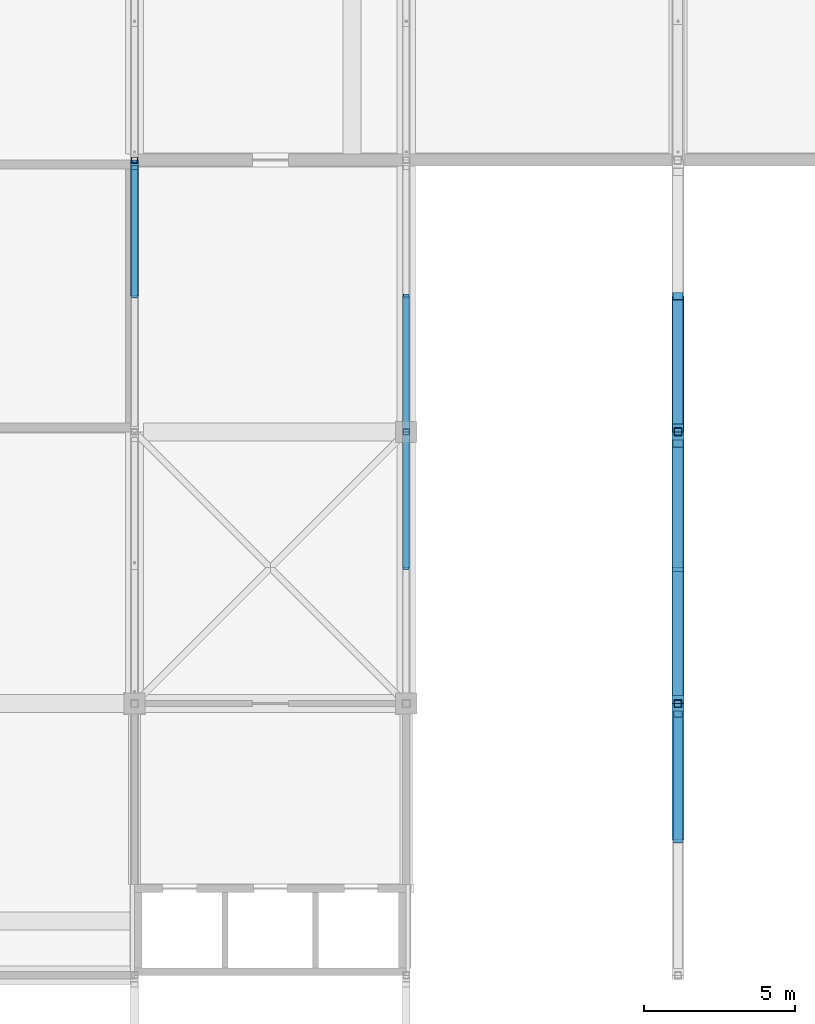
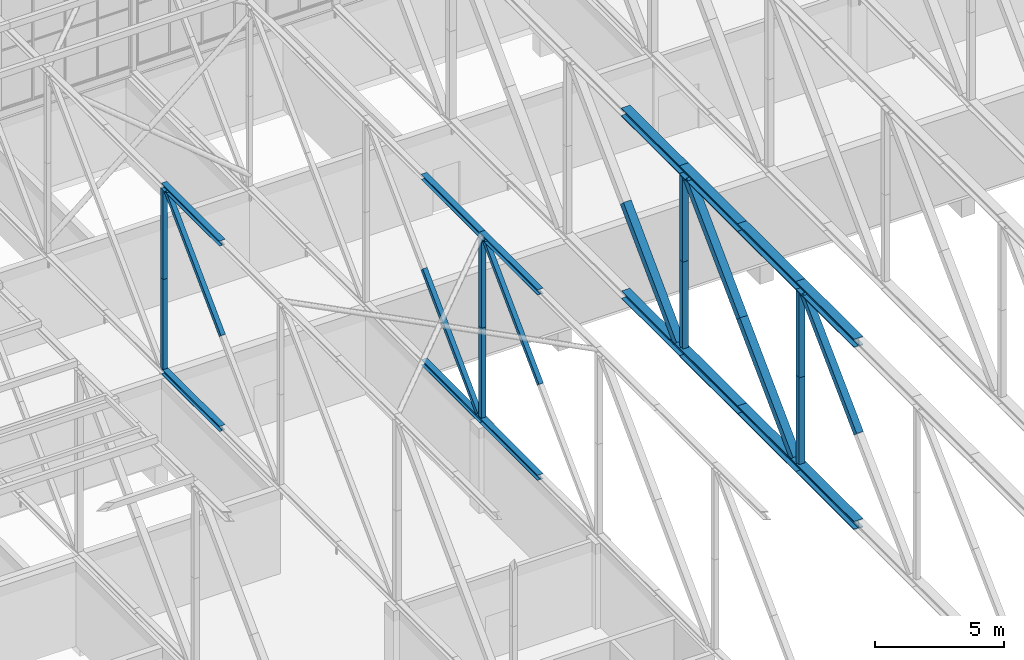
# One storey, part 66 of 646: 29 members.
"""IFC4 building model written with IfcOpenShell, lengths in metres."""

from ifc_helpers import new_model, si_unit, direction, frame, origin, origin_2d, place, context, subcontext, project, spatial, hollow_rectangle, i_section, extrude, material, material_profile, profile_set, type_object, element, save


model = new_model("IFC4")

# Units and contexts
model_context = context("Model", 3, precision=1e-05, world=origin(), true_north=direction((0.0, 1.0)))
body_context = subcontext(model_context, "Body", "Model", "MODEL_VIEW")
ifc_project = project(units=[si_unit("LENGTHUNIT", "METRE"), si_unit("AREAUNIT", "SQUARE_METRE"), si_unit("VOLUMEUNIT", "CUBIC_METRE"), si_unit("PLANEANGLEUNIT", "RADIAN"), si_unit("MASSUNIT", "GRAM", prefix="KILO")], contexts=[model_context])

# Site, building, storey
site_placement = place(None, origin())
site = spatial("IfcSite", under=ifc_project, at=site_placement, CompositionType="ELEMENT")
building_placement = place(site_placement, origin())
building = spatial("IfcBuilding", under=site, at=building_placement, Name="Silverbay Arena", CompositionType="ELEMENT")
storey_placement = place(building_placement, frame((0.0, 0.0, 33.5)))
storey = spatial("IfcBuildingStorey", under=building, at=storey_placement, Name="L05", CompositionType="ELEMENT", Elevation=33.5)

# Members
ifc_material_1 = material(Name="Steel S355", Category="steel")
ifc_material_profile_1 = material_profile(ifc_material_1, i_section(OverallWidth=0.37255859375, OverallDepth=0.3681640625, WebThickness=0.014404296875, FlangeThickness=0.023681640625, at=origin_2d()), Name="UC 356x368x177")
ifc_profile_set_1 = profile_set([ifc_material_profile_1], Name="Steel S355")
member_type_1 = type_object("IfcMemberType", Name="Main-span bottom chord UC 356x368x177", PredefinedType="CHORD", material=ifc_profile_set_1)
member_1_placement = place(storey_placement, frame((108.0, 117.0, 4.18408203125), z_axis=(0.0, 1.0, 0.0), x_axis=(-1.0, 0.0, 0.0)))
element("IfcMember", 1, at=member_1_placement, inside=storey, type_object=member_type_1, Name="ROOF TRUSS 13 bottom chord 13a", PredefinedType="CHORD", context=body_context, shape_type="SweptSolid", body=[
    extrude(i_section(OverallWidth=0.37255859375, OverallDepth=0.3681640625, WebThickness=0.014404296875, FlangeThickness=0.023681640625, at=origin_2d()), origin(), (0.0, 0.0, 1.0), 4.5),
])
ifc_material_2 = material(Name="Steel S355", Category="steel")
ifc_material_profile_2 = material_profile(ifc_material_2, i_section(OverallWidth=0.403076171875, OverallDepth=0.406494140625, WebThickness=0.026611328125, FlangeThickness=0.04296875, at=origin_2d()), Name="UC 356x406x340")
ifc_profile_set_2 = profile_set([ifc_material_profile_2], Name="Steel S355")
member_type_2 = type_object("IfcMemberType", Name="Main-span bottom chord UC 356x406x340", PredefinedType="CHORD", material=ifc_profile_set_2)
for number, where, z_axis, x_axis, name in (
    (2, (108.0, 103.5, 4.203125), (0.0, 1.0, 0.0), (-1.0, 0.0, 0.0), "ROOF TRUSS 13 bottom chord 11b"),
    (3, (108.0, 108.0, 4.203125), (0.0, 1.0, 0.0), (-1.0, 0.0, 0.0), "ROOF TRUSS 13 bottom chord 12a"),
    (4, (108.0, 112.5, 4.203125), (0.0, 1.0, 0.0), (-1.0, 0.0, 0.0), "ROOF TRUSS 13 bottom chord 12b"),
):
    element("IfcMember", number, at=place(storey_placement, frame(where, z_axis=z_axis, x_axis=x_axis)), inside=storey, type_object=member_type_2, Name=name, PredefinedType="CHORD", context=body_context, shape_type="SweptSolid", body=[
        extrude(i_section(OverallWidth=0.403076171875, OverallDepth=0.406494140625, WebThickness=0.026611328125, FlangeThickness=0.04296875, at=origin_2d()), origin(), (0.0, 0.0, 1.0), 4.5),
    ])
ifc_material_3 = material(Name="Steel S355", Category="steel")
ifc_material_profile_3 = material_profile(ifc_material_3, i_section(OverallWidth=0.39892578125, OverallDepth=0.3935546875, WebThickness=0.022705078125, FlangeThickness=0.03662109375, at=origin_2d()), Name="UC 356x406x287")
ifc_profile_set_3 = profile_set([ifc_material_profile_3], Name="Steel S355")
member_type_3 = type_object("IfcMemberType", Name="Main-span top chord UC 356x406x287", PredefinedType="CHORD", material=ifc_profile_set_3)
member_2_placement = place(storey_placement, frame((108.0, 117.0, 12.80322265625), z_axis=(0.0, 1.0, 0.0), x_axis=(-1.0, 0.0, 0.0)))
element("IfcMember", 5, at=member_2_placement, inside=storey, type_object=member_type_3, Name="ROOF TRUSS 13 top chord 13a", PredefinedType="CHORD", context=body_context, shape_type="SweptSolid", body=[
    extrude(i_section(OverallWidth=0.39892578125, OverallDepth=0.3935546875, WebThickness=0.022705078125, FlangeThickness=0.03662109375, at=origin_2d()), origin(), (0.0, 0.0, 1.0), 4.5),
])
ifc_material_4 = material(Name="Steel S355", Category="steel")
ifc_material_profile_4 = material_profile(ifc_material_4, i_section(OverallWidth=0.403076171875, OverallDepth=0.406494140625, WebThickness=0.026611328125, FlangeThickness=0.04296875, at=origin_2d()), Name="UC 356x406x340")
ifc_profile_set_4 = profile_set([ifc_material_profile_4], Name="Steel S355")
member_type_4 = type_object("IfcMemberType", Name="Main-span top chord UC 356x406x340", PredefinedType="CHORD", material=ifc_profile_set_4)
for number, where, z_axis, x_axis, name in (
    (6, (108.0, 103.5, 12.796875), (0.0, 1.0, 0.0), (-1.0, 0.0, 0.0), "ROOF TRUSS 13 top chord 11b"),
    (7, (108.0, 108.0, 12.796875), (0.0, 1.0, 0.0), (-1.0, 0.0, 0.0), "ROOF TRUSS 13 top chord 12a"),
    (8, (108.0, 112.5, 12.796875), (0.0, 1.0, 0.0), (-1.0, 0.0, 0.0), "ROOF TRUSS 13 top chord 12b"),
):
    element("IfcMember", number, at=place(storey_placement, frame(where, z_axis=z_axis, x_axis=x_axis)), inside=storey, type_object=member_type_4, Name=name, PredefinedType="CHORD", context=body_context, shape_type="SweptSolid", body=[
        extrude(i_section(OverallWidth=0.403076171875, OverallDepth=0.406494140625, WebThickness=0.026611328125, FlangeThickness=0.04296875, at=origin_2d()), origin(), (0.0, 0.0, 1.0), 4.5),
    ])
ifc_material_5 = material(Name="Steel S355", Category="steel")
ifc_material_profile_5 = material_profile(ifc_material_5, hollow_rectangle(XDim=0.300048828125, YDim=0.300048828125, WallThickness=0.012451171875, at=origin_2d()), Name="SHS 300x300x12.5")
ifc_profile_set_5 = profile_set([ifc_material_profile_5], Name="Steel S355")
member_type_5 = type_object("IfcMemberType", Name="Main-span truss diagonal SHS 300x300x12.5", PredefinedType="BRACE", material=ifc_profile_set_5)
member_3_placement = place(storey_placement, frame((108.0, 107.652099609375, 12.593505859375), z_axis=(0.0, -0.712752446816, -0.701415675301), x_axis=(1.0, 0.0, 0.0)))
element("IfcMember", 9, at=member_3_placement, inside=storey, type_object=member_type_5, Name="ROOF TRUSS 13 diagonal 11a", PredefinedType="BRACE", context=body_context, shape_type="SweptSolid", body=[
    extrude(hollow_rectangle(XDim=0.300048828125, YDim=0.300048828125, WallThickness=0.012451171875, at=origin_2d()), origin(), (0.0, 0.0, 1.0), 5.836181640625),
])
ifc_material_6 = material(Name="Steel S355", Category="steel")
ifc_material_profile_6 = material_profile(ifc_material_6, hollow_rectangle(XDim=0.35009765625, YDim=0.35009765625, WallThickness=0.012451171875, at=origin_2d()), Name="SHS 350x350x12.5")
ifc_profile_set_6 = profile_set([ifc_material_profile_6], Name="Steel S355")
member_type_6 = type_object("IfcMemberType", Name="Main-span truss diagonal SHS 350x350x12.5", PredefinedType="BRACE", material=ifc_profile_set_6)
for number, where, z_axis, x_axis, name in (
    (10, (108.0, 116.60986328125, 12.593505859375), (0.0, -0.708724844097, -0.705485007182), (1.0, 0.0, 0.0), "ROOF TRUSS 13 diagonal 12a"),
    (11, (108.0, 112.49755859375, 8.5), (0.0, -0.708745784671, -0.705463969818), (1.0, 0.0, 0.0), "ROOF TRUSS 13 diagonal 12b"),
):
    element("IfcMember", number, at=place(storey_placement, frame(where, z_axis=z_axis, x_axis=x_axis)), inside=storey, type_object=member_type_6, Name=name, PredefinedType="BRACE", context=body_context, shape_type="SweptSolid", body=[
        extrude(hollow_rectangle(XDim=0.35009765625, YDim=0.35009765625, WallThickness=0.012451171875, at=origin_2d()), origin(), (0.0, 0.0, 1.0), 5.802490234375),
    ])
ifc_material_7 = material(Name="Steel S355", Category="steel")
ifc_material_profile_7 = material_profile(ifc_material_7, hollow_rectangle(XDim=0.35009765625, YDim=0.35009765625, WallThickness=0.01416015625, at=origin_2d()), Name="SHS 350x350x14.2")
ifc_profile_set_7 = profile_set([ifc_material_profile_7], Name="Steel S355")
member_type_7 = type_object("IfcMemberType", Name="Main-span truss diagonal SHS 350x350x14.2", PredefinedType="BRACE", material=ifc_profile_set_7)
member_4_placement = place(storey_placement, frame((108.0, 121.5, 8.4873046875), z_axis=(0.0, -0.706393232016, -0.707819611033), x_axis=(1.0, 0.0, 0.0)))
element("IfcMember", 12, at=member_4_placement, inside=storey, type_object=member_type_7, Name="ROOF TRUSS 13 diagonal 13b", PredefinedType="BRACE", context=body_context, shape_type="SweptSolid", body=[
    extrude(hollow_rectangle(XDim=0.35009765625, YDim=0.35009765625, WallThickness=0.01416015625, at=origin_2d()), origin(), (0.0, 0.0, 1.0), 5.819580078125),
])
ifc_material_8 = material(Name="Steel S355", Category="steel")
ifc_material_profile_8 = material_profile(ifc_material_8, hollow_rectangle(XDim=0.25, YDim=0.25, WallThickness=0.010009765625, at=origin_2d()), Name="SHS 250x250x10")
ifc_profile_set_8 = profile_set([ifc_material_profile_8], Name="Steel S355")
member_type_8 = type_object("IfcMemberType", Name="Main-span truss vertical SHS 250x250x10", PredefinedType="STRUT", material=ifc_profile_set_8)
for number, where, z_axis, x_axis, name in (
    (13, (108.0, 108.0, 4.406494140625), (0.0, 0.0, 1.0), (1.0, 0.0, 0.0), "ROOF TRUSS 13 vertical 12a"),
    (14, (108.0, 108.0, 8.5), (0.0, 0.0, 1.0), (1.0, 0.0, 0.0), "ROOF TRUSS 13 vertical 12b"),
):
    element("IfcMember", number, at=place(storey_placement, frame(where, z_axis=z_axis, x_axis=x_axis)), inside=storey, type_object=member_type_8, Name=name, PredefinedType="STRUT", context=body_context, shape_type="SweptSolid", body=[
        extrude(hollow_rectangle(XDim=0.25, YDim=0.25, WallThickness=0.010009765625, at=origin_2d()), origin(), (0.0, 0.0, 1.0), 4.093505859375),
    ])
ifc_material_9 = material(Name="Steel S355", Category="steel")
ifc_material_profile_9 = material_profile(ifc_material_9, hollow_rectangle(XDim=0.260009765625, YDim=0.260009765625, WallThickness=0.010009765625, at=origin_2d()), Name="SHS 260x260x10")
ifc_profile_set_9 = profile_set([ifc_material_profile_9], Name="Steel S355")
member_type_9 = type_object("IfcMemberType", Name="Main-span truss vertical SHS 260x260x10", PredefinedType="STRUT", material=ifc_profile_set_9)
for number, where, z_axis, x_axis, name in (
    (15, (108.0, 117.0, 4.406494140625), (0.0, 0.0, 1.0), (1.0, 0.0, 0.0), "ROOF TRUSS 13 vertical 13a"),
    (16, (108.0, 117.0, 8.5), (0.0, 0.0, 1.0), (1.0, 0.0, 0.0), "ROOF TRUSS 13 vertical 13b"),
):
    element("IfcMember", number, at=place(storey_placement, frame(where, z_axis=z_axis, x_axis=x_axis)), inside=storey, type_object=member_type_9, Name=name, PredefinedType="STRUT", context=body_context, shape_type="SweptSolid", body=[
        extrude(hollow_rectangle(XDim=0.260009765625, YDim=0.260009765625, WallThickness=0.010009765625, at=origin_2d()), origin(), (0.0, 0.0, 1.0), 4.093505859375),
    ])
ifc_material_10 = material(Name="Steel S355", Category="steel")
ifc_material_profile_10 = material_profile(ifc_material_10, i_section(OverallWidth=0.254638671875, OverallDepth=0.254150390625, WebThickness=0.008544921875, FlangeThickness=0.01416015625, at=origin_2d()), Name="UC 254x254x73")
ifc_profile_set_10 = profile_set([ifc_material_profile_10], Name="Steel S355")
member_type_10 = type_object("IfcMemberType", Name="Medium-span bottom chord UC 254x254x73", PredefinedType="CHORD", material=ifc_profile_set_10)
for number, where, z_axis, x_axis, name in (
    (17, (90.0, 121.5, 4.126953125), (0.0, 1.0, 0.0), (-1.0, 0.0, 0.0), "ROOF TRUSS 11 bottom chord 13b"),
    (18, (99.0, 112.5, 4.126953125), (0.0, 1.0, 0.0), (-1.0, 0.0, 0.0), "ROOF TRUSS 12 bottom chord 12b"),
    (19, (99.0, 117.0, 4.126953125), (0.0, 1.0, 0.0), (-1.0, 0.0, 0.0), "ROOF TRUSS 12 bottom chord 13a"),
):
    element("IfcMember", number, at=place(storey_placement, frame(where, z_axis=z_axis, x_axis=x_axis)), inside=storey, type_object=member_type_10, Name=name, PredefinedType="CHORD", context=body_context, shape_type="SweptSolid", body=[
        extrude(i_section(OverallWidth=0.254638671875, OverallDepth=0.254150390625, WebThickness=0.008544921875, FlangeThickness=0.01416015625, at=origin_2d()), origin(), (0.0, 0.0, 1.0), 4.5),
    ])
ifc_material_11 = material(Name="Steel S355", Category="steel")
ifc_material_profile_11 = material_profile(ifc_material_11, i_section(OverallWidth=0.254638671875, OverallDepth=0.254150390625, WebThickness=0.008544921875, FlangeThickness=0.01416015625, at=origin_2d()), Name="UC 254x254x73")
ifc_profile_set_11 = profile_set([ifc_material_profile_11], Name="Steel S355")
member_type_11 = type_object("IfcMemberType", Name="Medium-span top chord UC 254x254x73", PredefinedType="CHORD", material=ifc_profile_set_11)
for number, where, z_axis, x_axis, name in (
    (20, (90.0, 121.5, 12.873046875), (0.0, 1.0, 0.0), (-1.0, 0.0, 0.0), "ROOF TRUSS 11 top chord 13b"),
    (21, (99.0, 112.5, 12.873046875), (0.0, 1.0, 0.0), (-1.0, 0.0, 0.0), "ROOF TRUSS 12 top chord 12b"),
    (22, (99.0, 117.0, 12.873046875), (0.0, 1.0, 0.0), (-1.0, 0.0, 0.0), "ROOF TRUSS 12 top chord 13a"),
):
    element("IfcMember", number, at=place(storey_placement, frame(where, z_axis=z_axis, x_axis=x_axis)), inside=storey, type_object=member_type_11, Name=name, PredefinedType="CHORD", context=body_context, shape_type="SweptSolid", body=[
        extrude(i_section(OverallWidth=0.254638671875, OverallDepth=0.254150390625, WebThickness=0.008544921875, FlangeThickness=0.01416015625, at=origin_2d()), origin(), (0.0, 0.0, 1.0), 4.5),
    ])
ifc_material_12 = material(Name="Steel S355", Category="steel")
ifc_material_profile_12 = material_profile(ifc_material_12, hollow_rectangle(XDim=0.199951171875, YDim=0.199951171875, WallThickness=0.008056640625, at=origin_2d()), Name="SHS 200x200x8")
ifc_profile_set_12 = profile_set([ifc_material_profile_12], Name="Steel S355")
member_type_12 = type_object("IfcMemberType", Name="Medium-span truss diagonal SHS 200x200x8", PredefinedType="BRACE", material=ifc_profile_set_12)
member_5_placement = place(storey_placement, frame((90.0, 125.75439453125, 12.745849609375), z_axis=(0.0, -0.70781724692, -0.706395600894), x_axis=(1.0, 0.0, 0.0)))
element("IfcMember", 23, at=member_5_placement, inside=storey, type_object=member_type_12, Name="ROOF TRUSS 11 diagonal 13a", PredefinedType="BRACE", context=body_context, shape_type="SweptSolid", body=[
    extrude(hollow_rectangle(XDim=0.199951171875, YDim=0.199951171875, WallThickness=0.008056640625, at=origin_2d()), origin(), (0.0, 0.0, 1.0), 6.010498046875),
])
member_6_placement = place(storey_placement, frame((99.0, 116.75439453125, 12.745849609375), z_axis=(0.0, -0.706781281828, -0.707432130778), x_axis=(1.0, 0.0, 0.0)))
element("IfcMember", 24, at=member_6_placement, inside=storey, type_object=member_type_12, Name="ROOF TRUSS 12 diagonal 12a", PredefinedType="BRACE", context=body_context, shape_type="SweptSolid", body=[
    extrude(hollow_rectangle(XDim=0.199951171875, YDim=0.199951171875, WallThickness=0.008056640625, at=origin_2d()), origin(), (0.0, 0.0, 1.0), 6.001708984375),
])
member_7_placement = place(storey_placement, frame((99.0, 121.5, 8.5), z_axis=(0.0, -0.70781724692, -0.706395600894), x_axis=(1.0, 0.0, 0.0)))
element("IfcMember", 25, at=member_7_placement, inside=storey, type_object=member_type_12, Name="ROOF TRUSS 12 diagonal 13b", PredefinedType="BRACE", context=body_context, shape_type="SweptSolid", body=[
    extrude(hollow_rectangle(XDim=0.199951171875, YDim=0.199951171875, WallThickness=0.008056640625, at=origin_2d()), origin(), (0.0, 0.0, 1.0), 6.010498046875),
])
ifc_material_13 = material(Name="Steel S355", Category="steel")
ifc_material_profile_13 = material_profile(ifc_material_13, hollow_rectangle(XDim=0.199951171875, YDim=0.199951171875, WallThickness=0.008056640625, at=origin_2d()), Name="SHS 200x200x8")
ifc_profile_set_13 = profile_set([ifc_material_profile_13], Name="Steel S355")
member_type_13 = type_object("IfcMemberType", Name="Medium-span truss vertical SHS 200x200x8", PredefinedType="STRUT", material=ifc_profile_set_13)
for number, where, z_axis, x_axis, name in (
    (26, (90.0, 126.0, 4.254150390625), (0.0, 0.0, 1.0), (1.0, 0.0, 0.0), "ROOF TRUSS 11 vertical 14a"),
    (27, (90.0, 126.0, 8.5), (0.0, 0.0, 1.0), (1.0, 0.0, 0.0), "ROOF TRUSS 11 vertical 14b"),
    (28, (99.0, 117.0, 4.254150390625), (0.0, 0.0, 1.0), (1.0, 0.0, 0.0), "ROOF TRUSS 12 vertical 13a"),
    (29, (99.0, 117.0, 8.5), (0.0, 0.0, 1.0), (1.0, 0.0, 0.0), "ROOF TRUSS 12 vertical 13b"),
):
    element("IfcMember", number, at=place(storey_placement, frame(where, z_axis=z_axis, x_axis=x_axis)), inside=storey, type_object=member_type_13, Name=name, PredefinedType="STRUT", context=body_context, shape_type="SweptSolid", body=[
        extrude(hollow_rectangle(XDim=0.199951171875, YDim=0.199951171875, WallThickness=0.008056640625, at=origin_2d()), origin(), (0.0, 0.0, 1.0), 4.245849609375),
    ])

save(model, "model.ifc")
